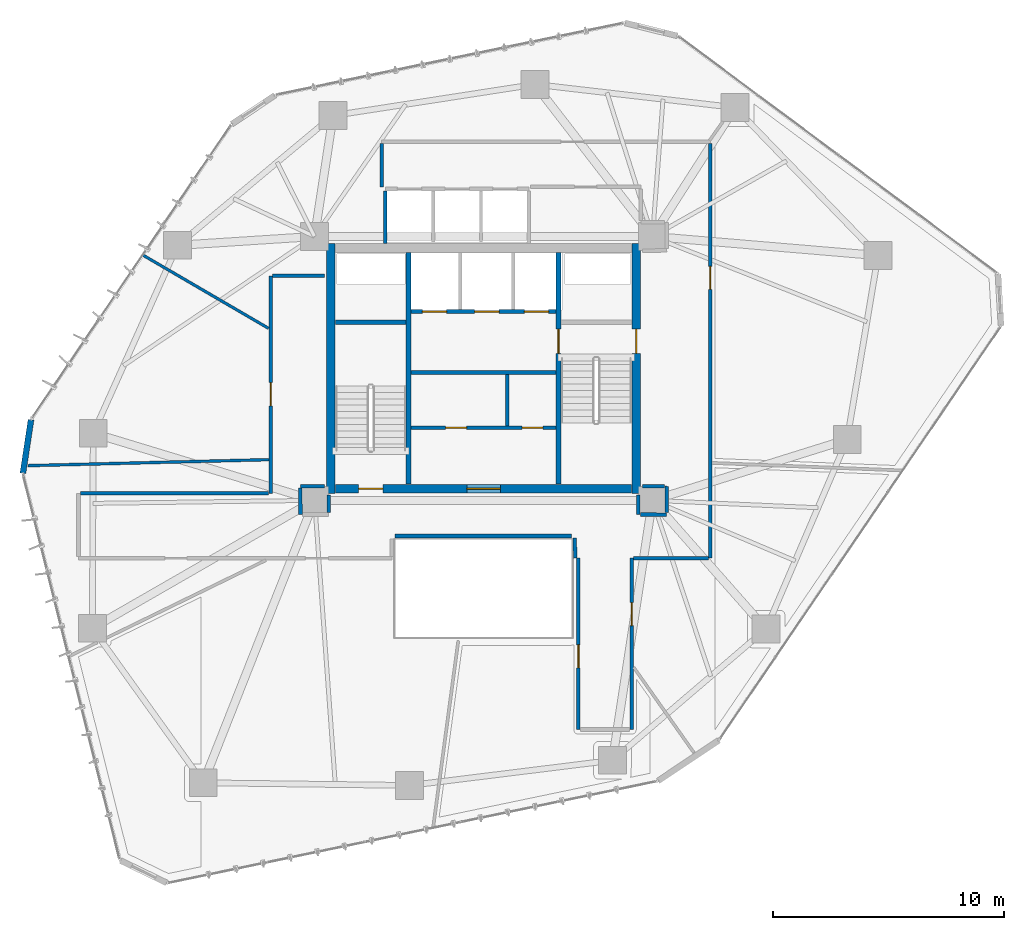
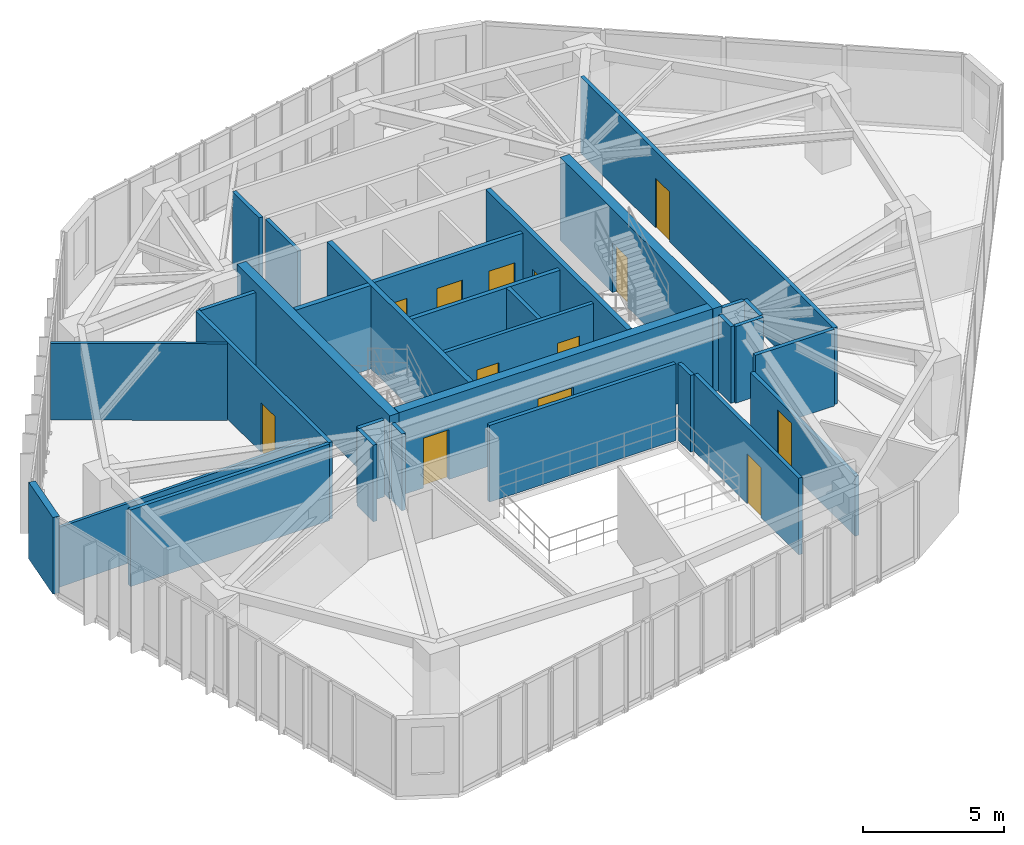
# One storey, part 17 of 22: 31 walls, 13 doors, 13 openings.
"""IFC4 building model written with IfcOpenShell, lengths in metres."""

from ifc_helpers import new_model, si_unit, direction, frame, frame_2d, origin, place, context, subcontext, project, spatial, rectangle, extrude, source, transform, mapped, material, layer, layer_set, type_object, type_shapes, element, fill, save


model = new_model("IFC4")

# Units and contexts
model_context = context("Model", 3, precision=1e-05, world=origin(), true_north=direction((0.0, 1.0)))
body_context = subcontext(model_context, "Body", "Model", "MODEL_VIEW")
ifc_project = project(units=[si_unit("LENGTHUNIT", "METRE"), si_unit("AREAUNIT", "SQUARE_METRE"), si_unit("VOLUMEUNIT", "CUBIC_METRE"), si_unit("PLANEANGLEUNIT", "RADIAN"), si_unit("MASSUNIT", "GRAM", prefix="KILO")], contexts=[model_context])

# Site, building, storey
site_placement = place(None, origin())
site = spatial("IfcSite", under=ifc_project, at=site_placement, CompositionType="ELEMENT")
building_placement = place(site_placement, origin())
building = spatial("IfcBuilding", under=site, at=building_placement, Name="Talar Marvaseh", CompositionType="ELEMENT")
storey_placement = place(building_placement, frame((0.0, 0.0, 125.39990234375)))
storey = spatial("IfcBuildingStorey", under=building, at=storey_placement, Name="L32", CompositionType="ELEMENT", Elevation=125.39990234375)

# Wall
ifc_material_1 = material(Name="Precast concrete C45/55", Category="concrete")
ifc_layer_1 = layer(ifc_material_1, 0.2548828125)
ifc_layer_set_1 = layer_set([ifc_layer_1], Name="Precast concrete C45/55")
wall_type_1 = type_object("IfcWallType", Name="Chamfered Hexagonal Corner Pier Wall Z2 255", PredefinedType="SOLIDWALL", material=ifc_layer_set_1)
wall_1_placement = place(storey_placement, frame((6.10009765625, 26.670654296875, 0.0), z_axis=(0.0, 0.0, 1.0), x_axis=(0.149885714076, 0.98870332897, 0.0)))
element("IfcWall", 1, at=wall_1_placement, inside=storey, type_object=wall_type_1, Name="L32 Chamfered Corner Limestone Pier 2", PredefinedType="SOLIDWALL", context=body_context, shape_type="SweptSolid", body=[
    extrude(rectangle(XDim=2.340576171875, YDim=0.2548828125, at=frame_2d((1.17041015625, 0.0))), origin(), (0.0, 0.0, 1.0), 3.31005859375),
])

# Wall, openings, doors
ifc_material_2 = material(Name="Gypsum Board Partition Assembly")
ifc_layer_2 = layer(ifc_material_2, 0.155029296875)
ifc_layer_set_2 = layer_set([ifc_layer_2], Name="Gypsum Board Partition Assembly")
wall_type_2 = type_object("IfcWallType", Name="Corridor Fire-Rated Acoustic Partition 155", PredefinedType="PARTITIONING", material=ifc_layer_set_2)
wall_2_placement = place(storey_placement, frame((22.865966796875, 28.639892578125, 0.0), z_axis=(0.0, 0.0, 1.0), x_axis=(1.0, 0.0, 0.0)))
wall_2 = element("IfcWall", 2, at=wall_2_placement, inside=storey, type_object=wall_type_2, Name="L32 Core BOH Partition", PredefinedType="PARTITIONING", context=body_context, shape_type="SweptSolid", body=[
    extrude(rectangle(XDim=6.26806640625, YDim=0.155029296875, at=frame_2d((3.134033203125, 0.0))), origin(), (0.0, 0.0, 1.0), 3.31005859375),
])
opening_1_placement = place(wall_2_placement, frame((1.5, 0.0, 0.0)))
opening_1 = element("IfcOpeningElement", 3, at=opening_1_placement, cuts=wall_2, Name="Opening DR-BOH090", PredefinedType="OPENING", context=body_context, shape_type="SweptSolid", body=[
    extrude(rectangle(XDim=0.89990234375, YDim=2.10009765625, at=frame_2d((0.449951171875, 1.050048828125))), frame((0.0, 0.08740234375, 0.0), z_axis=(0.0, -1.0, 0.0), x_axis=(1.0, 0.0, 0.0)), (0.0, 0.0, 1.0), 0.175048828125),
])
opening_2_placement = place(wall_2_placement, frame((4.800048828125, 0.0, 0.0)))
opening_2 = element("IfcOpeningElement", 4, at=opening_2_placement, cuts=wall_2, Name="Opening DR-BOH090", PredefinedType="OPENING", context=body_context, shape_type="SweptSolid", body=[
    extrude(rectangle(XDim=0.89990234375, YDim=2.10009765625, at=frame_2d((0.449951171875, 1.050048828125))), frame((0.0, 0.08740234375, 0.0), z_axis=(0.0, -1.0, 0.0), x_axis=(1.0, 0.0, 0.0)), (0.0, 0.0, 1.0), 0.175048828125),
])
ifc_material_3 = material(Name="Fire-Rated Steel Door Leaf", Category="steel")
door_type_1 = type_object("IfcDoorType", Name="Core Back-of-House Service Door 900x2100", OperationType="NOTDEFINED", PredefinedType="DOOR", material=ifc_material_3)
shared_shape_1 = source(origin(), body_context, "Body", "SweptSolid", [
    extrude(rectangle(XDim=0.89990234375, YDim=2.10009765625, at=frame_2d((0.449951171875, 1.050048828125))), frame((0.0, 0.02490234375, 0.0), z_axis=(0.0, -1.0, 0.0), x_axis=(1.0, 0.0, 0.0)), (0.0, 0.0, 1.0), 0.050048828125),
])
type_shapes(door_type_1, [shared_shape_1])
door_1_placement = place(opening_1_placement, origin())
door_1 = element("IfcDoor", 5, at=door_1_placement, inside=storey, type_object=door_type_1, Name="L32 Plant Core Comms Switch Room Door", OperationType="SINGLE_SWING_LEFT", OverallHeight=2.10009765625, OverallWidth=0.89990234375, PredefinedType="DOOR", context=body_context, shape_type="MappedRepresentation", body=[
    mapped(shared_shape_1, transform((0.0, 0.0, 0.0), x_axis=(1.0, 0.0, 0.0), y_axis=(0.0, 1.0, 0.0), z_axis=(0.0, 0.0, 1.0), scale=1.0)),
])
fill(opening_1, door_1)
door_2_placement = place(opening_2_placement, origin())
door_2 = element("IfcDoor", 6, at=door_2_placement, inside=storey, type_object=door_type_1, Name="L32 Cleaner Cupboard Door", OperationType="SINGLE_SWING_RIGHT", OverallHeight=2.10009765625, OverallWidth=0.89990234375, PredefinedType="DOOR", context=body_context, shape_type="MappedRepresentation", body=[
    mapped(shared_shape_1, transform((0.0, 0.0, 0.0), x_axis=(1.0, 0.0, 0.0), y_axis=(0.0, 1.0, 0.0), z_axis=(0.0, 0.0, 1.0), scale=1.0)),
])
fill(opening_2, door_2)

# Wall
wall_3_placement = place(storey_placement, frame((27.02001953125, 28.719970703125, 0.0), z_axis=(0.0, 0.0, 1.0), x_axis=(0.0, 1.0, 0.0)))
element("IfcWall", 7, at=wall_3_placement, inside=storey, type_object=wall_type_2, Name="L32 Core BOH Partition", PredefinedType="PARTITIONING", context=body_context, shape_type="SweptSolid", body=[
    extrude(rectangle(XDim=2.219970703125, YDim=0.155029296875, at=frame_2d((1.10986328125, 0.0))), origin(), (0.0, 0.0, 1.0), 3.31005859375),
])

# Wall, opening, door
wall_4_placement = place(storey_placement, frame((16.800048828125, 25.800048828125, 0.0), z_axis=(0.0, 0.0, 1.0), x_axis=(0.0, 1.0, 0.0)))
wall_4 = element("IfcWall", 8, at=wall_4_placement, inside=storey, type_object=wall_type_2, Name="L32 Interior Partition Wall", PredefinedType="PARTITIONING", context=body_context, shape_type="SweptSolid", body=[
    extrude(rectangle(XDim=9.39990234375, YDim=0.155029296875, at=frame_2d((4.699951171875, 0.0))), origin(), (0.0, 0.0, 1.0), 3.31005859375),
])
opening_3_placement = place(wall_4_placement, frame((3.78125, 0.0, 0.0)))
opening_3 = element("IfcOpeningElement", 9, at=opening_3_placement, cuts=wall_4, Name="Opening DR-RM100", PredefinedType="OPENING", context=body_context, shape_type="SweptSolid", body=[
    extrude(rectangle(XDim=1.0, YDim=2.14990234375, at=frame_2d((0.5, 1.074951171875))), frame((0.0, 0.08740234375, 0.0), z_axis=(0.0, -1.0, 0.0), x_axis=(1.0, 0.0, 0.0)), (0.0, 0.0, 1.0), 0.175048828125),
])
ifc_material_4 = material(Name="Acoustic Engineered Oak Timber", Category="wood")
door_type_2 = type_object("IfcDoorType", Name="Corridor Fire-Rated Gallery Door 1000x2150", OperationType="NOTDEFINED", PredefinedType="DOOR", material=ifc_material_4)
shared_shape_2 = source(origin(), body_context, "Body", "SweptSolid", [
    extrude(rectangle(XDim=1.0, YDim=2.14990234375, at=frame_2d((0.5, 1.074951171875))), frame((0.0, 0.02490234375, 0.0), z_axis=(0.0, -1.0, 0.0), x_axis=(1.0, 0.0, 0.0)), (0.0, 0.0, 1.0), 0.050048828125),
])
type_shapes(door_type_2, [shared_shape_2])
door_3_placement = place(opening_3_placement, origin())
door_3 = element("IfcDoor", 10, at=door_3_placement, inside=storey, type_object=door_type_2, Name="L32 Archival Facsimile Boutique Door", OperationType="SINGLE_SWING_RIGHT", OverallHeight=2.14990234375, OverallWidth=1.0, PredefinedType="DOOR", context=body_context, shape_type="MappedRepresentation", body=[
    mapped(shared_shape_2, transform((0.0, 0.0, 0.0), x_axis=(1.0, 0.0, 0.0), y_axis=(0.0, 1.0, 0.0), z_axis=(0.0, 0.0, 1.0), scale=1.0)),
])
fill(opening_3, door_3)

wall_5_placement = place(storey_placement, frame((35.800048828125, 40.91650390625, 0.0), z_axis=(0.0, 0.0, 1.0), x_axis=(0.0, -1.0, 0.0)))
wall_5 = element("IfcWall", 11, at=wall_5_placement, inside=storey, type_object=wall_type_2, Name="L32 Interior Partition Wall", PredefinedType="PARTITIONING", context=body_context, shape_type="SweptSolid", body=[
    extrude(rectangle(XDim=17.91650390625, YDim=0.155029296875, at=frame_2d((8.958251953125, 0.0))), origin(), (0.0, 0.0, 1.0), 3.31005859375),
])
opening_4_placement = place(wall_5_placement, frame((5.3056640625, 0.0, 0.0)))
opening_4 = element("IfcOpeningElement", 12, at=opening_4_placement, cuts=wall_5, Name="Opening DR-RM100", PredefinedType="OPENING", context=body_context, shape_type="SweptSolid", body=[
    extrude(rectangle(XDim=1.0, YDim=2.14990234375, at=frame_2d((0.5, 1.074951171875))), frame((0.0, 0.08740234375, 0.0), z_axis=(0.0, -1.0, 0.0), x_axis=(1.0, 0.0, 0.0)), (0.0, 0.0, 1.0), 0.175048828125),
])
door_4_placement = place(opening_4_placement, origin())
door_4 = element("IfcDoor", 13, at=door_4_placement, inside=storey, type_object=door_type_2, Name="L32 Artisan Craft Showroom Door", OperationType="SINGLE_SWING_LEFT", OverallHeight=2.14990234375, OverallWidth=1.0, PredefinedType="DOOR", context=body_context, shape_type="MappedRepresentation", body=[
    mapped(shared_shape_2, transform((0.0, 0.0, 0.0), x_axis=(1.0, 0.0, 0.0), y_axis=(0.0, 1.0, 0.0), z_axis=(0.0, 0.0, 1.0), scale=1.0)),
])
fill(opening_4, door_4)

wall_6_placement = place(storey_placement, frame((32.39990234375, 23.0, 0.0), z_axis=(0.0, 0.0, 1.0), x_axis=(0.0, -1.0, 0.0)))
wall_6 = element("IfcWall", 14, at=wall_6_placement, inside=storey, type_object=wall_type_2, Name="L32 Interior Partition Wall", PredefinedType="PARTITIONING", context=body_context, shape_type="SweptSolid", body=[
    extrude(rectangle(XDim=7.39990234375, YDim=0.155029296875, at=frame_2d((3.699951171875, 0.0))), origin(), (0.0, 0.0, 1.0), 2.590087890625),
])
opening_5_placement = place(wall_6_placement, frame((1.91455078125, 0.0, 0.0)))
opening_5 = element("IfcOpeningElement", 15, at=opening_5_placement, cuts=wall_6, Name="Opening DR-RM100", PredefinedType="OPENING", context=body_context, shape_type="SweptSolid", body=[
    extrude(rectangle(XDim=1.0, YDim=2.14990234375, at=frame_2d((0.5, 1.074951171875))), frame((0.0, 0.08740234375, 0.0), z_axis=(0.0, -1.0, 0.0), x_axis=(1.0, 0.0, 0.0)), (0.0, 0.0, 1.0), 0.175048828125),
])
door_5_placement = place(opening_5_placement, origin())
door_5 = element("IfcDoor", 16, at=door_5_placement, inside=storey, type_object=door_type_2, Name="L32 Archival Research Office Door", OperationType="SINGLE_SWING_RIGHT", OverallHeight=2.14990234375, OverallWidth=1.0, PredefinedType="DOOR", context=body_context, shape_type="MappedRepresentation", body=[
    mapped(shared_shape_2, transform((0.0, 0.0, 0.0), x_axis=(1.0, 0.0, 0.0), y_axis=(0.0, 1.0, 0.0), z_axis=(0.0, 0.0, 1.0), scale=1.0)),
])
fill(opening_5, door_5)

wall_7_placement = place(storey_placement, frame((30.10009765625, 15.60009765625, 0.0), z_axis=(0.0, 0.0, 1.0), x_axis=(0.0, 1.0, 0.0)))
wall_7 = element("IfcWall", 17, at=wall_7_placement, inside=storey, type_object=wall_type_2, Name="L32 Interior Partition Wall", PredefinedType="PARTITIONING", context=body_context, shape_type="SweptSolid", body=[
    extrude(rectangle(XDim=7.39990234375, YDim=0.155029296875, at=frame_2d((3.699951171875, 0.0))), origin(), (0.0, 0.0, 1.0), 3.31005859375),
])
opening_6_placement = place(wall_7_placement, frame((2.6611328125, 0.0, 0.0)))
opening_6 = element("IfcOpeningElement", 18, at=opening_6_placement, cuts=wall_7, Name="Opening DR-RM100", PredefinedType="OPENING", context=body_context, shape_type="SweptSolid", body=[
    extrude(rectangle(XDim=1.0, YDim=2.14990234375, at=frame_2d((0.5, 1.074951171875))), frame((0.0, 0.08740234375, 0.0), z_axis=(0.0, -1.0, 0.0), x_axis=(1.0, 0.0, 0.0)), (0.0, 0.0, 1.0), 0.175048828125),
])
door_6_placement = place(opening_6_placement, origin())
door_6 = element("IfcDoor", 19, at=door_6_placement, inside=storey, type_object=door_type_2, Name="L32 Museum Publication Bookshop Door", OperationType="SINGLE_SWING_LEFT", OverallHeight=2.14990234375, OverallWidth=1.0, PredefinedType="DOOR", context=body_context, shape_type="MappedRepresentation", body=[
    mapped(shared_shape_2, transform((0.0, 0.0, 0.0), x_axis=(1.0, 0.0, 0.0), y_axis=(0.0, 1.0, 0.0), z_axis=(0.0, 0.0, 1.0), scale=1.0)),
])
fill(opening_6, door_6)

# Walls
wall_8_placement = place(storey_placement, frame((29.800048828125, 23.9599609375, 0.0), z_axis=(0.0, 0.0, 1.0), x_axis=(-0.999999995375, -9.617234e-05, 0.0)))
element("IfcWall", 20, at=wall_8_placement, inside=storey, type_object=wall_type_2, Name="L32 Interior Partition Wall", PredefinedType="PARTITIONING", context=body_context, shape_type="SweptSolid", body=[
    extrude(rectangle(XDim=7.61572265625, YDim=0.155029296875, at=frame_2d((3.807861328125, 0.0))), origin(), (0.0, 0.0, 1.0), 3.31005859375),
])
wall_9_placement = place(storey_placement, frame((8.58349609375, 25.800048828125, 0.0), z_axis=(0.0, 0.0, 1.0), x_axis=(1.0, 0.0, 0.0)))
element("IfcWall", 21, at=wall_9_placement, inside=storey, type_object=wall_type_2, Name="L32 Interior Partition Wall", PredefinedType="PARTITIONING", context=body_context, shape_type="SweptSolid", body=[
    extrude(rectangle(XDim=8.133056640625, YDim=0.155029296875, at=frame_2d((4.06640625, 0.0))), origin(), (0.0, 0.0, 1.0), 3.31005859375),
])
wall_10_placement = place(storey_placement, frame((16.883544921875, 35.199951171875, 0.0), z_axis=(0.0, 0.0, 1.0), x_axis=(1.0, 0.0, 0.0)))
element("IfcWall", 22, at=wall_10_placement, inside=storey, type_object=wall_type_2, Name="L32 Interior Partition Wall", PredefinedType="PARTITIONING", context=body_context, shape_type="SweptSolid", body=[
    extrude(rectangle(XDim=2.246337890625, YDim=0.155029296875, at=frame_2d((1.123046875, 0.0))), origin(), (0.0, 0.0, 1.0), 3.31005859375),
])
wall_11_placement = place(storey_placement, frame((19.1298828125, 26.114990234375, 0.0), z_axis=(0.0, 0.0, 1.0), x_axis=(-0.999986702653, -0.005156987215, 0.0)))
element("IfcWall", 23, at=wall_11_placement, inside=storey, type_object=wall_type_2, Name="L32 Interior Partition Wall", PredefinedType="PARTITIONING", context=body_context, shape_type="SweptSolid", body=[
    extrude(rectangle(XDim=1.04150390625, YDim=0.155029296875, at=frame_2d((0.520751953125, 0.0))), origin(), (0.0, 0.0, 1.0), 3.31005859375),
])
wall_12_placement = place(storey_placement, frame((18.088623046875, 26.02587890625, 0.0), z_axis=(0.0, 0.0, 1.0), x_axis=(0.002787893948, -0.999996113816, 0.0)))
element("IfcWall", 24, at=wall_12_placement, inside=storey, type_object=wall_type_2, Name="L32 Interior Partition Wall", PredefinedType="PARTITIONING", context=body_context, shape_type="SweptSolid", body=[
    extrude(rectangle(XDim=1.138427734375, YDim=0.155029296875, at=frame_2d((0.5693359375, 0.0))), origin(), (0.0, 0.0, 1.0), 3.31005859375),
])
wall_13_placement = place(storey_placement, frame((19.31005859375, 24.971923828125, 0.0), z_axis=(0.0, 0.0, 1.0), x_axis=(0.006441090216, 0.999979255963, 0.0)))
element("IfcWall", 25, at=wall_13_placement, inside=storey, type_object=wall_type_2, Name="L32 Interior Partition Wall", PredefinedType="PARTITIONING", context=body_context, shape_type="SweptSolid", body=[
    extrude(rectangle(XDim=0.758056640625, YDim=0.155029296875, at=frame_2d((0.37890625, 0.0))), origin(), (0.0, 0.0, 1.0), 3.31005859375),
])
wall_14_placement = place(storey_placement, frame((32.68505859375, 25.72998046875, 0.0), z_axis=(0.0, 0.0, 1.0), x_axis=(0.006382231486, -0.999979633353, 0.0)))
element("IfcWall", 26, at=wall_14_placement, inside=storey, type_object=wall_type_2, Name="L32 Interior Partition Wall", PredefinedType="PARTITIONING", context=body_context, shape_type="SweptSolid", body=[
    extrude(rectangle(XDim=0.841552734375, YDim=0.155029296875, at=frame_2d((0.4208984375, 0.0))), origin(), (0.0, 0.0, 1.0), 3.31005859375),
])
wall_15_placement = place(storey_placement, frame((32.77392578125, 24.88818359375, 0.0), z_axis=(0.0, 0.0, 1.0), x_axis=(0.999999164303, -0.001292823742, 0.0)))
element("IfcWall", 27, at=wall_15_placement, inside=storey, type_object=wall_type_2, Name="L32 Interior Partition Wall", PredefinedType="PARTITIONING", context=body_context, shape_type="SweptSolid", body=[
    extrude(rectangle(XDim=1.133056640625, YDim=0.155029296875, at=frame_2d((0.56640625, 0.0))), origin(), (0.0, 0.0, 1.0), 3.31005859375),
])
wall_16_placement = place(storey_placement, frame((33.907470703125, 24.97021484375, 0.0), z_axis=(0.0, 0.0, 1.0), x_axis=(0.003642572792, 0.99999336581, 0.0)))
element("IfcWall", 28, at=wall_16_placement, inside=storey, type_object=wall_type_2, Name="L32 Interior Partition Wall", PredefinedType="PARTITIONING", context=body_context, shape_type="SweptSolid", body=[
    extrude(rectangle(XDim=1.139404296875, YDim=0.155029296875, at=frame_2d((0.56982421875, 0.0))), origin(), (0.0, 0.0, 1.0), 3.31005859375),
])
wall_17_placement = place(storey_placement, frame((33.828125, 26.110107421875, 0.0), z_axis=(0.0, 0.0, 1.0), x_axis=(-0.999987011364, 0.005096773758, 0.0)))
element("IfcWall", 29, at=wall_17_placement, inside=storey, type_object=wall_type_2, Name="L32 Interior Partition Wall", PredefinedType="PARTITIONING", context=body_context, shape_type="SweptSolid", body=[
    extrude(rectangle(XDim=0.9580078125, YDim=0.155029296875, at=frame_2d((0.47900390625, 0.0))), origin(), (0.0, 0.0, 1.0), 3.31005859375),
])
wall_18_placement = place(storey_placement, frame((21.60009765625, 39.0400390625, 0.0), z_axis=(0.0, 0.0, 1.0), x_axis=(0.0, 1.0, 0.0)))
element("IfcWall", 30, at=wall_18_placement, inside=storey, type_object=wall_type_2, Name="L32 Interior Partition Wall", PredefinedType="PARTITIONING", context=body_context, shape_type="SweptSolid", body=[
    extrude(rectangle(XDim=1.87646484375, YDim=0.155029296875, at=frame_2d((0.938232421875, 0.0))), origin(), (0.0, 0.0, 1.0), 3.31005859375),
])
wall_19_placement = place(storey_placement, frame((35.716552734375, 23.0, 0.0), z_axis=(0.0, 0.0, 1.0), x_axis=(-1.0, 0.0, 0.0)))
element("IfcWall", 31, at=wall_19_placement, inside=storey, type_object=wall_type_2, Name="L32 Interior Partition Wall", PredefinedType="PARTITIONING", context=body_context, shape_type="SweptSolid", body=[
    extrude(rectangle(XDim=3.233154296875, YDim=0.155029296875, at=frame_2d((1.61669921875, 0.0))), origin(), (0.0, 0.0, 1.0), 3.31005859375),
])
wall_20_placement = place(storey_placement, frame((29.9599609375, 23.0, 0.0), z_axis=(0.0, 0.0, 1.0), x_axis=(-0.021467444279, 0.999769547864, 0.0)))
element("IfcWall", 32, at=wall_20_placement, inside=storey, type_object=wall_type_2, Name="L32 Interior Partition Wall", PredefinedType="PARTITIONING", context=body_context, shape_type="SweptSolid", body=[
    extrude(rectangle(XDim=0.875732421875, YDim=0.155029296875, at=frame_2d((0.43798828125, 0.0))), origin(), (0.0, 0.0, 1.0), 3.31005859375),
])
ifc_layer_3 = layer(ifc_material_2, 0.1201171875)
ifc_layer_set_3 = layer_set([ifc_layer_3], Name="Gypsum Board Partition Assembly")
wall_type_3 = type_object("IfcWallType", Name="Demountable Studio Room Partition 120", PredefinedType="PARTITIONING", material=ifc_layer_set_3)
wall_21_placement = place(storey_placement, frame((6.313720703125, 26.9990234375, 0.0), z_axis=(0.0, 0.0, 1.0), x_axis=(0.999690652536, 0.02487165518, 0.0)))
element("IfcWall", 33, at=wall_21_placement, inside=storey, type_object=wall_type_3, Name="L32 Interior Partition Wall", PredefinedType="PARTITIONING", context=body_context, shape_type="SweptSolid", body=[
    extrude(rectangle(XDim=10.424560546875, YDim=0.1201171875, at=frame_2d((5.21240234375, 0.0))), origin(), (0.0, 0.0, 1.0), 2.590087890625),
])
wall_22_placement = place(storey_placement, frame((16.716552734375, 32.9287109375, 0.0), z_axis=(0.0, 0.0, 1.0), x_axis=(-0.863845246097, 0.50375727369, 0.0)))
element("IfcWall", 34, at=wall_22_placement, inside=storey, type_object=wall_type_3, Name="L32 Interior Partition Wall", PredefinedType="PARTITIONING", context=body_context, shape_type="SweptSolid", body=[
    extrude(rectangle(XDim=6.272216796875, YDim=0.1201171875, at=frame_2d((3.13623046875, 0.0))), origin(), (0.0, 0.0, 1.0), 3.31005859375),
])
ifc_layer_4 = layer(ifc_material_1, 0.14501953125)
ifc_layer_set_4 = layer_set([ifc_layer_4], Name="Precast concrete C45/55")
wall_type_4 = type_object("IfcWallType", Name="Fire-Rated Lift Divider Wall 145", PredefinedType="SOLIDWALL", material=ifc_layer_set_4)
wall_23_placement = place(storey_placement, frame((21.760009765625, 36.60009765625, 0.0), z_axis=(0.0, 0.0, 1.0), x_axis=(0.0, 1.0, 0.0)))
element("IfcWall", 35, at=wall_23_placement, inside=storey, type_object=wall_type_4, Name="L32 Low-Rise Bank West Wall", PredefinedType="SOLIDWALL", context=body_context, shape_type="SweptSolid", body=[
    extrude(rectangle(XDim=2.266357421875, YDim=0.14501953125, at=frame_2d((1.13330078125, 0.0))), origin(), (0.0, 0.0, 1.0), 3.31005859375),
])

# Wall, openings, doors
ifc_layer_5 = layer(ifc_material_1, 0.175048828125)
ifc_layer_set_5 = layer_set([ifc_layer_5], Name="Precast concrete C45/55")
wall_type_5 = type_object("IfcWallType", Name="Fire-Rated Lift Hoistway Enclosure Wall 175", PredefinedType="SOLIDWALL", material=ifc_layer_set_5)
wall_24_placement = place(storey_placement, frame((22.860107421875, 33.64990234375, 0.0), z_axis=(0.0, 0.0, 1.0), x_axis=(1.0, 0.0, 0.0)))
wall_24 = element("IfcWall", 36, at=wall_24_placement, inside=storey, type_object=wall_type_5, Name="L32 Firefighting and Service Lift Front Wall", PredefinedType="SOLIDWALL", context=body_context, shape_type="SweptSolid", body=[
    extrude(rectangle(XDim=6.27978515625, YDim=0.175048828125, at=frame_2d((3.139892578125, 0.0))), origin(), (0.0, 0.0, 1.0), 3.31005859375),
])
opening_7_placement = place(wall_24_placement, frame((0.5, 0.0, 0.0)))
opening_7 = element("IfcOpeningElement", 37, at=opening_7_placement, cuts=wall_24, Name="Opening LD-FF1", PredefinedType="OPENING", context=body_context, shape_type="SweptSolid", body=[
    extrude(rectangle(XDim=1.050048828125, YDim=2.14990234375, at=frame_2d((0.52490234375, 1.074951171875))), frame((0.0, 0.09765625, 0.0), z_axis=(0.0, -1.0, 0.0), x_axis=(1.0, 0.0, 0.0)), (0.0, 0.0, 1.0), 0.195068359375),
])
opening_8_placement = place(wall_24_placement, frame((2.760009765625, 0.0, 0.0)))
opening_8 = element("IfcOpeningElement", 38, at=opening_8_placement, cuts=wall_24, Name="Opening LD-FF2", PredefinedType="OPENING", context=body_context, shape_type="SweptSolid", body=[
    extrude(rectangle(XDim=1.050048828125, YDim=2.14990234375, at=frame_2d((0.52490234375, 1.074951171875))), frame((0.0, 0.09765625, 0.0), z_axis=(0.0, -1.0, 0.0), x_axis=(1.0, 0.0, 0.0)), (0.0, 0.0, 1.0), 0.195068359375),
])
opening_9_placement = place(wall_24_placement, frame((4.89990234375, 0.0, 0.0)))
opening_9 = element("IfcOpeningElement", 39, at=opening_9_placement, cuts=wall_24, Name="Opening LD-SV1", PredefinedType="OPENING", context=body_context, shape_type="SweptSolid", body=[
    extrude(rectangle(XDim=1.050048828125, YDim=2.14990234375, at=frame_2d((0.52490234375, 1.074951171875))), frame((0.0, 0.09765625, 0.0), z_axis=(0.0, -1.0, 0.0), x_axis=(1.0, 0.0, 0.0)), (0.0, 0.0, 1.0), 0.195068359375),
])
ifc_material_5 = material(Name="Stainless Steel Grade 316", Category="steel")
door_type_3 = type_object("IfcDoorType", Name="Automatic Sliding Lift Landing Door 1050x2150", OperationType="NOTDEFINED", PredefinedType="DOOR", material=ifc_material_5)
shared_shape_3 = source(origin(), body_context, "Body", "SweptSolid", [
    extrude(rectangle(XDim=1.050048828125, YDim=2.14990234375, at=frame_2d((0.52490234375, 1.074951171875))), frame((0.0, 0.02490234375, 0.0), z_axis=(0.0, -1.0, 0.0), x_axis=(1.0, 0.0, 0.0)), (0.0, 0.0, 1.0), 0.050048828125),
])
type_shapes(door_type_3, [shared_shape_3])
door_7_placement = place(opening_7_placement, origin())
door_7 = element("IfcDoor", 40, at=door_7_placement, inside=storey, type_object=door_type_3, Name="L32 Lift FFL-1 Sliding Landing Door", OperationType="SLIDING_TO_LEFT", OverallHeight=2.14990234375, OverallWidth=1.050048828125, PredefinedType="DOOR", context=body_context, shape_type="MappedRepresentation", body=[
    mapped(shared_shape_3, transform((0.0, 0.0, 0.0), x_axis=(1.0, 0.0, 0.0), y_axis=(0.0, 1.0, 0.0), z_axis=(0.0, 0.0, 1.0), scale=1.0)),
])
fill(opening_7, door_7)
door_8_placement = place(opening_8_placement, origin())
door_8 = element("IfcDoor", 41, at=door_8_placement, inside=storey, type_object=door_type_3, Name="L32 Lift FFL-2 Sliding Landing Door", OperationType="SLIDING_TO_LEFT", OverallHeight=2.14990234375, OverallWidth=1.050048828125, PredefinedType="DOOR", context=body_context, shape_type="MappedRepresentation", body=[
    mapped(shared_shape_3, transform((0.0, 0.0, 0.0), x_axis=(1.0, 0.0, 0.0), y_axis=(0.0, 1.0, 0.0), z_axis=(0.0, 0.0, 1.0), scale=1.0)),
])
fill(opening_8, door_8)
door_9_placement = place(opening_9_placement, origin())
door_9 = element("IfcDoor", 42, at=door_9_placement, inside=storey, type_object=door_type_3, Name="L32 Lift SVL-1 Sliding Landing Door", OperationType="SLIDING_TO_LEFT", OverallHeight=2.14990234375, OverallWidth=1.050048828125, PredefinedType="DOOR", context=body_context, shape_type="MappedRepresentation", body=[
    mapped(shared_shape_3, transform((0.0, 0.0, 0.0), x_axis=(1.0, 0.0, 0.0), y_axis=(0.0, 1.0, 0.0), z_axis=(0.0, 0.0, 1.0), scale=1.0)),
])
fill(opening_9, door_9)

# Walls
wall_25_placement = place(storey_placement, frame((22.860107421875, 31.02001953125, 0.0), z_axis=(0.0, 0.0, 1.0), x_axis=(1.0, 0.0, 0.0)))
element("IfcWall", 43, at=wall_25_placement, inside=storey, type_object=wall_type_5, Name="L32 Firefighting Lobby South Smoke Wall", PredefinedType="SOLIDWALL", context=body_context, shape_type="SweptSolid", body=[
    extrude(rectangle(XDim=6.27978515625, YDim=0.175048828125, at=frame_2d((3.139892578125, 0.0))), origin(), (0.0, 0.0, 1.0), 3.31005859375),
])
ifc_material_6 = material(Name="Concrete C60/75", Category="concrete")
ifc_layer_6 = layer(ifc_material_6, 0.3798828125)
ifc_layer_set_6 = layer_set([ifc_layer_6], Name="Concrete C60/75")
wall_type_6 = type_object("IfcWallType", Name="Mid Core Reinforced Concrete Shear Wall 380", PredefinedType="SHEAR", material=ifc_layer_set_6)
wall_26_placement = place(storey_placement, frame((19.39990234375, 25.800048828125, 0.0), z_axis=(0.0, 0.0, 1.0), x_axis=(0.0, 1.0, 0.0)))
element("IfcWall", 44, at=wall_26_placement, inside=storey, type_object=wall_type_6, Name="L32 West Core Shear Wall", PredefinedType="SHEAR", context=body_context, shape_type="SweptSolid", body=[
    extrude(rectangle(XDim=10.800048828125, YDim=0.3798828125, at=frame_2d((5.39990234375, 0.0))), origin(), (0.0, 0.0, 1.0), 3.60009765625),
])

# Wall, opening, door
wall_27_placement = place(storey_placement, frame((32.60009765625, 36.60009765625, 0.0), z_axis=(0.0, 0.0, 1.0), x_axis=(0.0, -1.0, 0.0)))
wall_27 = element("IfcWall", 45, at=wall_27_placement, inside=storey, type_object=wall_type_6, Name="L32 East Core Shear Wall", PredefinedType="SHEAR", context=body_context, shape_type="SweptSolid", body=[
    extrude(rectangle(XDim=10.800048828125, YDim=0.3798828125, at=frame_2d((5.39990234375, 0.0))), origin(), (0.0, 0.0, 1.0), 3.60009765625),
])
opening_10_placement = place(wall_27_placement, frame((3.699951171875, 0.0, 0.0)))
opening_10 = element("IfcOpeningElement", 46, at=opening_10_placement, cuts=wall_27, Name="Opening DR-ST105", PredefinedType="OPENING", context=body_context, shape_type="SweptSolid", body=[
    extrude(rectangle(XDim=1.050048828125, YDim=2.14990234375, at=frame_2d((0.52490234375, 1.074951171875))), frame((0.0, 0.199951171875, 0.0), z_axis=(0.0, -1.0, 0.0), x_axis=(1.0, 0.0, 0.0)), (0.0, 0.0, 1.0), 0.39990234375),
])
door_type_4 = type_object("IfcDoorType", Name="Protected Exit Stair Fire Door 1050x2150", OperationType="NOTDEFINED", PredefinedType="DOOR", material=ifc_material_3)
shared_shape_4 = source(origin(), body_context, "Body", "SweptSolid", [
    extrude(rectangle(XDim=1.050048828125, YDim=2.14990234375, at=frame_2d((0.52490234375, 1.074951171875))), frame((0.0, 0.02490234375, 0.0), z_axis=(0.0, -1.0, 0.0), x_axis=(1.0, 0.0, 0.0)), (0.0, 0.0, 1.0), 0.050048828125),
])
type_shapes(door_type_4, [shared_shape_4])
door_10_placement = place(opening_10_placement, origin())
door_10 = element("IfcDoor", 47, at=door_10_placement, inside=storey, type_object=door_type_4, Name="L32 Stair ST-2 Corridor Exit Door", OperationType="SINGLE_SWING_LEFT", OverallHeight=2.14990234375, OverallWidth=1.050048828125, PredefinedType="DOOR", context=body_context, shape_type="MappedRepresentation", body=[
    mapped(shared_shape_4, transform((0.0, 0.0, 0.0), x_axis=(1.0, 0.0, 0.0), y_axis=(0.0, 1.0, 0.0), z_axis=(0.0, 0.0, 1.0), scale=1.0)),
])
fill(opening_10, door_10)

# Wall, openings, doors
wall_28_placement = place(storey_placement, frame((32.39990234375, 26.0, 0.0), z_axis=(0.0, 0.0, 1.0), x_axis=(-1.0, 0.0, 0.0)))
wall_28 = element("IfcWall", 48, at=wall_28_placement, inside=storey, type_object=wall_type_6, Name="L32 South Core Shear Wall", PredefinedType="SHEAR", context=body_context, shape_type="SweptSolid", body=[
    extrude(rectangle(XDim=12.7998046875, YDim=0.3798828125, at=frame_2d((6.39990234375, 0.0))), origin(), (0.0, 0.0, 1.0), 3.60009765625),
])
opening_11_placement = place(wall_28_placement, frame((10.75, 0.0, 0.0)))
opening_11 = element("IfcOpeningElement", 49, at=opening_11_placement, cuts=wall_28, Name="Opening DR-ST105", PredefinedType="OPENING", context=body_context, shape_type="SweptSolid", body=[
    extrude(rectangle(XDim=1.050048828125, YDim=2.14990234375, at=frame_2d((0.52490234375, 1.074951171875))), frame((0.0, 0.199951171875, 0.0), z_axis=(0.0, -1.0, 0.0), x_axis=(1.0, 0.0, 0.0)), (0.0, 0.0, 1.0), 0.39990234375),
])
opening_12_placement = place(wall_28_placement, frame((5.669921875, 0.0, 0.0)))
opening_12 = element("IfcOpeningElement", 50, at=opening_12_placement, cuts=wall_28, Name="Opening DR-LBY145", PredefinedType="OPENING", context=body_context, shape_type="SweptSolid", body=[
    extrude(rectangle(XDim=1.449951171875, YDim=2.199951171875, at=frame_2d((0.72509765625, 1.10009765625))), frame((0.0, 0.199951171875, 0.0), z_axis=(0.0, -1.0, 0.0), x_axis=(1.0, 0.0, 0.0)), (0.0, 0.0, 1.0), 0.39990234375),
])
door_11_placement = place(opening_11_placement, origin())
door_11 = element("IfcDoor", 51, at=door_11_placement, inside=storey, type_object=door_type_4, Name="L32 Stair ST-1 Exit Door", OperationType="SINGLE_SWING_RIGHT", OverallHeight=2.14990234375, OverallWidth=1.050048828125, PredefinedType="DOOR", context=body_context, shape_type="MappedRepresentation", body=[
    mapped(shared_shape_4, transform((0.0, 0.0, 0.0), x_axis=(1.0, 0.0, 0.0), y_axis=(0.0, 1.0, 0.0), z_axis=(0.0, 0.0, 1.0), scale=1.0)),
])
fill(opening_11, door_11)
door_type_5 = type_object("IfcDoorType", Name="Core Lift Lobby Double Smoke Door 1450x2200", OperationType="NOTDEFINED", PredefinedType="DOOR", material=ifc_material_3)
shared_shape_5 = source(origin(), body_context, "Body", "SweptSolid", [
    extrude(rectangle(XDim=1.449951171875, YDim=2.199951171875, at=frame_2d((0.72509765625, 1.10009765625))), frame((0.0, 0.02490234375, 0.0), z_axis=(0.0, -1.0, 0.0), x_axis=(1.0, 0.0, 0.0)), (0.0, 0.0, 1.0), 0.050048828125),
])
type_shapes(door_type_5, [shared_shape_5])
door_12_placement = place(opening_12_placement, origin())
door_12 = element("IfcDoor", 52, at=door_12_placement, inside=storey, type_object=door_type_5, Name="L32 Passenger Lift Lobby Entrance Door", OperationType="DOUBLE_DOOR_SINGLE_SWING", OverallHeight=2.199951171875, OverallWidth=1.449951171875, PredefinedType="DOOR", context=body_context, shape_type="MappedRepresentation", body=[
    mapped(shared_shape_5, transform((0.0, 0.0, 0.0), x_axis=(1.0, 0.0, 0.0), y_axis=(0.0, 1.0, 0.0), z_axis=(0.0, 0.0, 1.0), scale=1.0)),
])
fill(opening_12, door_12)

# Wall
ifc_material_7 = material(Name="Concrete C50/60", Category="concrete")
ifc_layer_7 = layer(ifc_material_7, 0.199951171875)
ifc_layer_set_7 = layer_set([ifc_layer_7], Name="Concrete C50/60")
wall_type_7 = type_object("IfcWallType", Name="Stair Shaft Structural Concrete Shear Wall 200", PredefinedType="SHEAR", material=ifc_layer_set_7)
wall_29_placement = place(storey_placement, frame((22.760009765625, 26.199951171875, 0.0), z_axis=(0.0, 0.0, 1.0), x_axis=(0.0, 1.0, 0.0)))
element("IfcWall", 53, at=wall_29_placement, inside=storey, type_object=wall_type_7, Name="L32 Core West Stair Shear Wall", PredefinedType="SHEAR", context=body_context, shape_type="SweptSolid", body=[
    extrude(rectangle(XDim=10.0, YDim=0.199951171875, at=frame_2d((5.0, 0.0))), origin(), (0.0, 0.0, 1.0), 3.60009765625),
])

# Wall, opening, door
wall_30_placement = place(storey_placement, frame((29.239990234375, 26.199951171875, 0.0), z_axis=(0.0, 0.0, 1.0), x_axis=(0.0, 1.0, 0.0)))
wall_30 = element("IfcWall", 54, at=wall_30_placement, inside=storey, type_object=wall_type_7, Name="L32 Core East Stair Shear Wall", PredefinedType="SHEAR", context=body_context, shape_type="SweptSolid", body=[
    extrude(rectangle(XDim=10.0, YDim=0.199951171875, at=frame_2d((5.0, 0.0))), origin(), (0.0, 0.0, 1.0), 3.60009765625),
])
opening_13_placement = place(wall_30_placement, frame((5.64990234375, 0.0, 0.0)))
opening_13 = element("IfcOpeningElement", 55, at=opening_13_placement, cuts=wall_30, Name="Opening DR-ST105", PredefinedType="OPENING", context=body_context, shape_type="SweptSolid", body=[
    extrude(rectangle(XDim=1.050048828125, YDim=2.14990234375, at=frame_2d((0.52490234375, 1.074951171875))), frame((0.0, 0.10986328125, 0.0), z_axis=(0.0, -1.0, 0.0), x_axis=(1.0, 0.0, 0.0)), (0.0, 0.0, 1.0), 0.219970703125),
])
door_13_placement = place(opening_13_placement, origin())
door_13 = element("IfcDoor", 56, at=door_13_placement, inside=storey, type_object=door_type_4, Name="L32 Firefighting Lobby to Stair ST-2 Door", OperationType="SINGLE_SWING_LEFT", OverallHeight=2.14990234375, OverallWidth=1.050048828125, PredefinedType="DOOR", context=body_context, shape_type="MappedRepresentation", body=[
    mapped(shared_shape_4, transform((0.0, 0.0, 0.0), x_axis=(1.0, 0.0, 0.0), y_axis=(0.0, 1.0, 0.0), z_axis=(0.0, 0.0, 1.0), scale=1.0)),
])
fill(opening_13, door_13)

# Wall
wall_31_placement = place(storey_placement, frame((19.60009765625, 33.199951171875, 0.0), z_axis=(0.0, 0.0, 1.0), x_axis=(1.0, 0.0, 0.0)))
element("IfcWall", 57, at=wall_31_placement, inside=storey, type_object=wall_type_7, Name="L32 Stair ST-1 North Shear Wall", PredefinedType="SHEAR", context=body_context, shape_type="SweptSolid", body=[
    extrude(rectangle(XDim=3.059814453125, YDim=0.199951171875, at=frame_2d((1.52978515625, 0.0))), origin(), (0.0, 0.0, 1.0), 3.60009765625),
])

save(model, "model.ifc")
